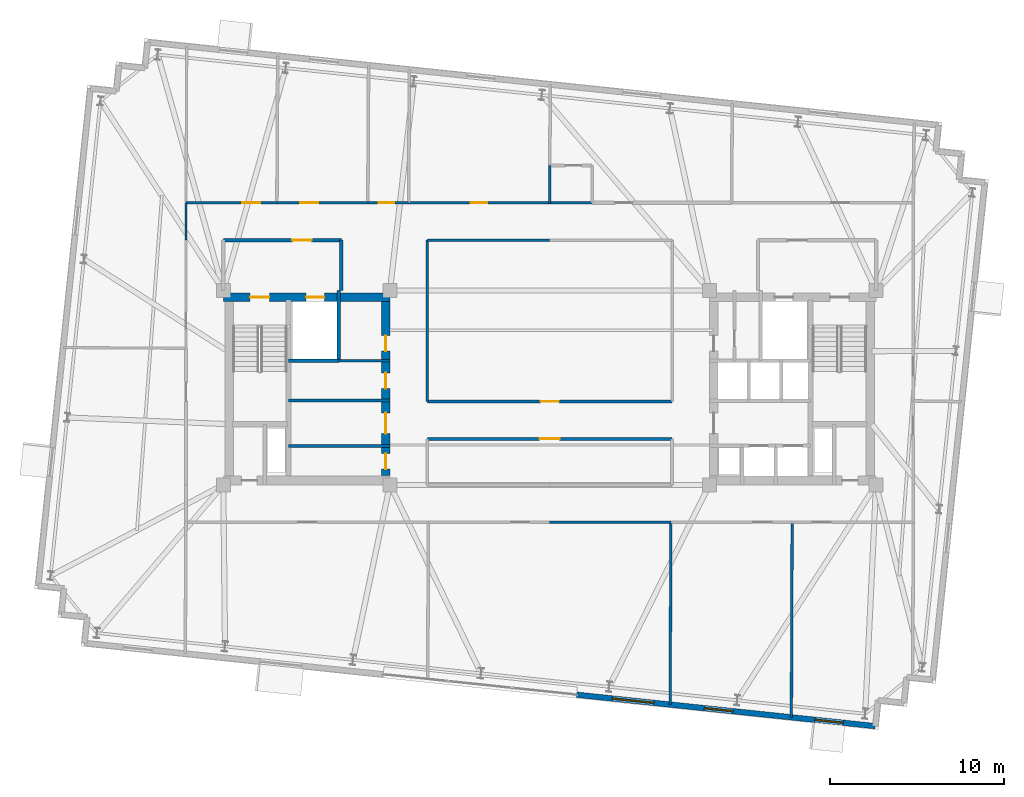
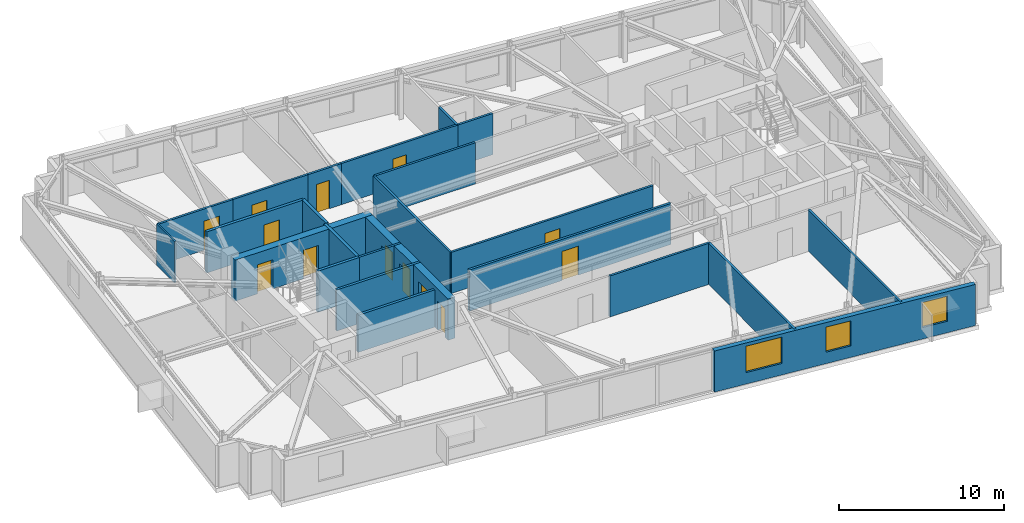
# One storey, part 8 of 12: 24 walls, 13 doors, 3 windows, 16 openings.
"""IFC4 building model written with IfcOpenShell, lengths in metres."""

from ifc_helpers import new_model, si_unit, direction, frame, frame_2d, origin, place, context, subcontext, project, spatial, rectangle, extrude, material, layer, layer_set, type_object, element, fill, save


model = new_model("IFC4")

# Units and contexts
model_context = context("Model", 3, precision=1e-05, world=origin(), true_north=direction((0.0, 1.0)))
body_context = subcontext(model_context, "Body", "Model", "MODEL_VIEW")
ifc_project = project(units=[si_unit("LENGTHUNIT", "METRE"), si_unit("AREAUNIT", "SQUARE_METRE"), si_unit("VOLUMEUNIT", "CUBIC_METRE"), si_unit("PLANEANGLEUNIT", "RADIAN"), si_unit("MASSUNIT", "GRAM", prefix="KILO")], contexts=[model_context])

# Site, building, storey
site_placement = place(None, origin())
site = spatial("IfcSite", under=ifc_project, at=site_placement, CompositionType="ELEMENT")
building_placement = place(site_placement, origin())
building = spatial("IfcBuilding", under=site, at=building_placement, Name="Qobustan Lattice House", CompositionType="ELEMENT")
storey_placement = place(building_placement, frame((0.0, 0.0, 203.10009765625)))
storey = spatial("IfcBuildingStorey", under=building, at=storey_placement, Name="L57", CompositionType="ELEMENT", Elevation=203.10009765625)

# Wall, openings, doors
ifc_material_1 = material(Name="Concrete C50/60", Category="concrete")
ifc_layer_1 = layer(ifc_material_1, 0.5)
ifc_layer_set_1 = layer_set([ifc_layer_1], Name="Concrete C50/60")
wall_type_1 = type_object("IfcWallType", Name="WAL-CORE-500", PredefinedType="SHEAR", material=ifc_layer_set_1)
wall_1_placement = place(storey_placement, frame((-18.800048828125, 5.2099609375, 0.0), z_axis=(0.0, 0.0, 1.0), x_axis=(1.0, 0.0, 0.0)))
wall_1 = element("IfcWall", 1, at=wall_1_placement, inside=storey, type_object=wall_type_1, Name="L57 split-core shear wall CW-N", PredefinedType="SHEAR", context=body_context, shape_type="SweptSolid", body=[
    extrude(rectangle(XDim=9.60009765625, YDim=0.5, at=frame_2d((4.800048828125, 0.0))), origin(), (0.0, 0.0, 1.0), 3.039794921875),
])
opening_1_placement = place(wall_1_placement, frame((1.550048828125, 0.0, 0.0)))
opening_1 = element("IfcOpeningElement", 2, at=opening_1_placement, cuts=wall_1, Name="Opening SD-01", PredefinedType="OPENING", context=body_context, shape_type="SweptSolid", body=[
    extrude(rectangle(XDim=1.10009765625, YDim=2.14990234375, at=frame_2d((0.550048828125, 1.074951171875))), frame((0.0, 0.260009765625, 0.0), z_axis=(0.0, -1.0, 0.0), x_axis=(1.0, 0.0, 0.0)), (0.0, 0.0, 1.0), 0.52001953125),
])
opening_2_placement = place(wall_1_placement, frame((4.77490234375, 0.0, 0.0)))
opening_2 = element("IfcOpeningElement", 3, at=opening_2_placement, cuts=wall_1, Name="Opening LD-01", PredefinedType="OPENING", context=body_context, shape_type="SweptSolid", body=[
    extrude(rectangle(XDim=1.050048828125, YDim=2.10009765625, at=frame_2d((0.52490234375, 1.050048828125))), frame((0.0, 0.260009765625, 0.0), z_axis=(0.0, -1.0, 0.0), x_axis=(1.0, 0.0, 0.0)), (0.0, 0.0, 1.0), 0.52001953125),
])
ifc_material_2 = material(Name="Persian walnut timber and steel frame door", Category="steel")
door_type_1 = type_object("IfcDoorType", Name="DOR-LIFT-LD-1050x2100", OperationType="NOTDEFINED", PredefinedType="DOOR", material=ifc_material_2)
door_1_placement = place(opening_2_placement, origin())
door_1 = element("IfcDoor", 4, at=door_1_placement, inside=storey, type_object=door_type_1, Name="L57 firefighting lift FF-W landing door", OperationType="DOUBLE_DOOR_SLIDING", OverallHeight=2.10009765625, OverallWidth=1.050048828125, PredefinedType="DOOR", context=body_context, shape_type="SweptSolid", body=[
    extrude(rectangle(XDim=1.050048828125, YDim=2.10009765625, at=frame_2d((0.52490234375, 1.050048828125))), frame((0.0, 0.02490234375, 0.0), z_axis=(0.0, -1.0, 0.0), x_axis=(1.0, 0.0, 0.0)), (0.0, 0.0, 1.0), 0.050048828125),
])
fill(opening_2, door_1)
ifc_material_3 = material(Name="Persian walnut timber and steel frame door", Category="steel")
door_type_2 = type_object("IfcDoorType", Name="DOR-STAIR-FD-1100x2150", OperationType="NOTDEFINED", PredefinedType="DOOR", material=ifc_material_3)
door_2_placement = place(opening_1_placement, origin())
door_2 = element("IfcDoor", 5, at=door_2_placement, inside=storey, type_object=door_type_2, Name="L57 exit stair ST-W1 fire door", OperationType="SINGLE_SWING_RIGHT", OverallHeight=2.14990234375, OverallWidth=1.10009765625, PredefinedType="DOOR", context=body_context, shape_type="SweptSolid", body=[
    extrude(rectangle(XDim=1.10009765625, YDim=2.14990234375, at=frame_2d((0.550048828125, 1.074951171875))), frame((0.0, 0.02490234375, 0.0), z_axis=(0.0, -1.0, 0.0), x_axis=(1.0, 0.0, 0.0)), (0.0, 0.0, 1.0), 0.050048828125),
])
fill(opening_1, door_2)

wall_2_placement = place(storey_placement, frame((-9.449951171875, -5.050048828125, 0.0), z_axis=(0.0, 0.0, 1.0), x_axis=(0.0, 1.0, 0.0)))
wall_2 = element("IfcWall", 6, at=wall_2_placement, inside=storey, type_object=wall_type_1, Name="L57 split-core shear wall CW-E", PredefinedType="SHEAR", context=body_context, shape_type="SweptSolid", body=[
    extrude(rectangle(XDim=10.10009765625, YDim=0.5, at=frame_2d((5.050048828125, 0.0))), origin(), (0.0, 0.0, 1.0), 3.039794921875),
])
opening_3_placement = place(wall_2_placement, frame((7.14990234375, 0.0, 0.0)))
opening_3 = element("IfcOpeningElement", 7, at=opening_3_placement, cuts=wall_2, Name="Opening RD-01", PredefinedType="OPENING", context=body_context, shape_type="SweptSolid", body=[
    extrude(rectangle(XDim=0.89990234375, YDim=2.10009765625, at=frame_2d((0.449951171875, 1.050048828125))), frame((0.0, 0.260009765625, 0.0), z_axis=(0.0, -1.0, 0.0), x_axis=(1.0, 0.0, 0.0)), (0.0, 0.0, 1.0), 0.52001953125),
])
opening_4_placement = place(wall_2_placement, frame((2.39990234375, 0.0, 0.0)))
opening_4 = element("IfcOpeningElement", 8, at=opening_4_placement, cuts=wall_2, Name="Opening FD-01", PredefinedType="OPENING", context=body_context, shape_type="SweptSolid", body=[
    extrude(rectangle(XDim=1.199951171875, YDim=2.14990234375, at=frame_2d((0.60009765625, 1.074951171875))), frame((0.0, 0.260009765625, 0.0), z_axis=(0.0, -1.0, 0.0), x_axis=(1.0, 0.0, 0.0)), (0.0, 0.0, 1.0), 0.52001953125),
])
opening_5_placement = place(wall_2_placement, frame((0.35009765625, 0.0, 0.0)))
opening_5 = element("IfcOpeningElement", 9, at=opening_5_placement, cuts=wall_2, Name="Opening RD-01", PredefinedType="OPENING", context=body_context, shape_type="SweptSolid", body=[
    extrude(rectangle(XDim=0.89990234375, YDim=2.10009765625, at=frame_2d((0.449951171875, 1.050048828125))), frame((0.0, 0.260009765625, 0.0), z_axis=(0.0, -1.0, 0.0), x_axis=(1.0, 0.0, 0.0)), (0.0, 0.0, 1.0), 0.52001953125),
])
opening_6_placement = place(wall_2_placement, frame((5.0, 0.0, 0.0)))
opening_6 = element("IfcOpeningElement", 10, at=opening_6_placement, cuts=wall_2, Name="Opening RD-01", PredefinedType="OPENING", context=body_context, shape_type="SweptSolid", body=[
    extrude(rectangle(XDim=0.89990234375, YDim=2.10009765625, at=frame_2d((0.449951171875, 1.050048828125))), frame((0.0, 0.260009765625, 0.0), z_axis=(0.0, -1.0, 0.0), x_axis=(1.0, 0.0, 0.0)), (0.0, 0.0, 1.0), 0.52001953125),
])
ifc_material_4 = material(Name="Persian walnut timber and steel frame door", Category="steel")
door_type_3 = type_object("IfcDoorType", Name="DOR-LOBBY-FD-1200x2150", OperationType="NOTDEFINED", PredefinedType="DOOR", material=ifc_material_4)
door_3_placement = place(opening_4_placement, origin())
door_3 = element("IfcDoor", 11, at=door_3_placement, inside=storey, type_object=door_type_3, Name="L57 West core foyer fire door", OperationType="SINGLE_SWING_RIGHT", OverallHeight=2.14990234375, OverallWidth=1.199951171875, PredefinedType="DOOR", context=body_context, shape_type="SweptSolid", body=[
    extrude(rectangle(XDim=1.199951171875, YDim=2.14990234375, at=frame_2d((0.60009765625, 1.074951171875))), frame((0.0, 0.02490234375, 0.0), z_axis=(0.0, -1.0, 0.0), x_axis=(1.0, 0.0, 0.0)), (0.0, 0.0, 1.0), 0.050048828125),
])
fill(opening_4, door_3)
ifc_material_5 = material(Name="Persian walnut timber and steel frame door", Category="steel")
door_type_4 = type_object("IfcDoorType", Name="DOR-RISER-FD-900x2100", OperationType="NOTDEFINED", PredefinedType="DOOR", material=ifc_material_5)
door_4_placement = place(opening_3_placement, origin())
door_4 = element("IfcDoor", 12, at=door_4_placement, inside=storey, type_object=door_type_4, Name="L57 Floor tea pantry fire door", OperationType="SINGLE_SWING_LEFT", OverallHeight=2.10009765625, OverallWidth=0.89990234375, PredefinedType="DOOR", context=body_context, shape_type="SweptSolid", body=[
    extrude(rectangle(XDim=0.89990234375, YDim=2.10009765625, at=frame_2d((0.449951171875, 1.050048828125))), frame((0.0, 0.02490234375, 0.0), z_axis=(0.0, -1.0, 0.0), x_axis=(1.0, 0.0, 0.0)), (0.0, 0.0, 1.0), 0.050048828125),
])
fill(opening_3, door_4)
door_5_placement = place(opening_5_placement, origin())
door_5 = element("IfcDoor", 13, at=door_5_placement, inside=storey, type_object=door_type_4, Name="L57 Tutorial seminar salon fire door", OperationType="SINGLE_SWING_LEFT", OverallHeight=2.10009765625, OverallWidth=0.89990234375, PredefinedType="DOOR", context=body_context, shape_type="SweptSolid", body=[
    extrude(rectangle(XDim=0.89990234375, YDim=2.10009765625, at=frame_2d((0.449951171875, 1.050048828125))), frame((0.0, 0.02490234375, 0.0), z_axis=(0.0, -1.0, 0.0), x_axis=(1.0, 0.0, 0.0)), (0.0, 0.0, 1.0), 0.050048828125),
])
fill(opening_5, door_5)
door_6_placement = place(opening_6_placement, origin())
door_6 = element("IfcDoor", 14, at=door_6_placement, inside=storey, type_object=door_type_4, Name="L57 Copy and tea hub fire door", OperationType="SINGLE_SWING_RIGHT", OverallHeight=2.10009765625, OverallWidth=0.89990234375, PredefinedType="DOOR", context=body_context, shape_type="SweptSolid", body=[
    extrude(rectangle(XDim=0.89990234375, YDim=2.10009765625, at=frame_2d((0.449951171875, 1.050048828125))), frame((0.0, 0.02490234375, 0.0), z_axis=(0.0, -1.0, 0.0), x_axis=(1.0, 0.0, 0.0)), (0.0, 0.0, 1.0), 0.050048828125),
])
fill(opening_6, door_6)

# Wall, openings, windows
ifc_material_6 = material(Name="Precast concrete C40/50", Category="concrete")
ifc_layer_2 = layer(ifc_material_6, 0.320068359375)
ifc_layer_set_2 = layer_set([ifc_layer_2], Name="Precast concrete C40/50")
wall_type_2 = type_object("IfcWallType", Name="WAL-EXT-STONE-320", PredefinedType="SOLIDWALL", material=ifc_layer_set_2)
wall_3_placement = place(storey_placement, frame((18.755859375, -19.498291015625, 0.0), z_axis=(0.0, 0.0, 1.0), x_axis=(-0.994523378108, 0.104514354977, 0.0)))
wall_3 = element("IfcWall", 15, at=wall_3_placement, inside=storey, type_object=wall_type_2, Name="L57 iwan flank stone wall A", PredefinedType="SOLIDWALL", context=body_context, shape_type="SweptSolid", body=[
    extrude(rectangle(XDim=17.300048828125, YDim=0.320068359375, at=frame_2d((8.64990234375, 0.0))), origin(), (0.0, 0.0, 1.0), 3.039794921875),
])
opening_7_placement = place(wall_3_placement, frame((1.858154296875, 0.0, 0.85009765625)))
opening_7 = element("IfcOpeningElement", 16, at=opening_7_placement, cuts=wall_3, Name="Opening WN-09", PredefinedType="OPENING", context=body_context, shape_type="SweptSolid", body=[
    extrude(rectangle(XDim=1.64990234375, YDim=1.85009765625, at=frame_2d((0.824951171875, 0.925048828125))), frame((0.0, 0.169921875, 0.0), z_axis=(0.0, -1.0, 0.0), x_axis=(1.0, 0.0, 0.0)), (0.0, 0.0, 1.0), 0.340087890625),
])
opening_8_placement = place(wall_3_placement, frame((8.259521484375, 0.0, 0.85009765625)))
opening_8 = element("IfcOpeningElement", 17, at=opening_8_placement, cuts=wall_3, Name="Opening WN-09", PredefinedType="OPENING", context=body_context, shape_type="SweptSolid", body=[
    extrude(rectangle(XDim=1.64990234375, YDim=1.85009765625, at=frame_2d((0.824951171875, 0.925048828125))), frame((0.0, 0.169921875, 0.0), z_axis=(0.0, -1.0, 0.0), x_axis=(1.0, 0.0, 0.0)), (0.0, 0.0, 1.0), 0.340087890625),
])
opening_9_placement = place(wall_3_placement, frame((12.825439453125, 0.0, 0.85009765625)))
opening_9 = element("IfcOpeningElement", 18, at=opening_9_placement, cuts=wall_3, Name="Opening WN-10", PredefinedType="OPENING", context=body_context, shape_type="SweptSolid", body=[
    extrude(rectangle(XDim=2.39990234375, YDim=1.949951171875, at=frame_2d((1.199951171875, 0.97509765625))), frame((0.0, 0.169921875, 0.0), z_axis=(0.0, -1.0, 0.0), x_axis=(1.0, 0.0, 0.0)), (0.0, 0.0, 1.0), 0.340087890625),
])
ifc_material_7 = material(Name="Double-glazed low-E aluminium window", Category="aluminium")
window_type_1 = type_object("IfcWindowType", Name="WIN-LNG-2400x1950", PartitioningType="SINGLE_PANEL", PredefinedType="WINDOW", material=ifc_material_7)
window_1_placement = place(opening_9_placement, origin())
window_1 = element("IfcWindow", 19, at=window_1_placement, inside=storey, type_object=window_type_1, Name="L57 Walnut iwan sky lounge S2 window", OverallHeight=1.949951171875, OverallWidth=2.39990234375, PartitioningType="SINGLE_PANEL", PredefinedType="WINDOW", context=body_context, shape_type="SweptSolid", body=[
    extrude(rectangle(XDim=2.39990234375, YDim=1.949951171875, at=frame_2d((1.199951171875, 0.97509765625))), frame((0.0, 0.030029296875, 0.0), z_axis=(0.0, -1.0, 0.0), x_axis=(1.0, 0.0, 0.0)), (0.0, 0.0, 1.0), 0.06005859375),
])
fill(opening_9, window_1)
ifc_material_8 = material(Name="Double-glazed low-E aluminium window", Category="aluminium")
window_type_2 = type_object("IfcWindowType", Name="WIN-STU-1650x1850", PartitioningType="SINGLE_PANEL", PredefinedType="WINDOW", material=ifc_material_8)
window_2_placement = place(opening_7_placement, origin())
window_2 = element("IfcWindow", 20, at=window_2_placement, inside=storey, type_object=window_type_2, Name="L57 Academic seminar room window", OverallHeight=1.85009765625, OverallWidth=1.64990234375, PartitioningType="SINGLE_PANEL", PredefinedType="WINDOW", context=body_context, shape_type="SweptSolid", body=[
    extrude(rectangle(XDim=1.64990234375, YDim=1.85009765625, at=frame_2d((0.824951171875, 0.925048828125))), frame((0.0, 0.030029296875, 0.0), z_axis=(0.0, -1.0, 0.0), x_axis=(1.0, 0.0, 0.0)), (0.0, 0.0, 1.0), 0.06005859375),
])
fill(opening_7, window_2)
window_3_placement = place(opening_8_placement, origin())
window_3 = element("IfcWindow", 21, at=window_3_placement, inside=storey, type_object=window_type_2, Name="L57 Group study room window", OverallHeight=1.85009765625, OverallWidth=1.64990234375, PartitioningType="SINGLE_PANEL", PredefinedType="WINDOW", context=body_context, shape_type="SweptSolid", body=[
    extrude(rectangle(XDim=1.64990234375, YDim=1.85009765625, at=frame_2d((0.824951171875, 0.925048828125))), frame((0.0, 0.030029296875, 0.0), z_axis=(0.0, -1.0, 0.0), x_axis=(1.0, 0.0, 0.0)), (0.0, 0.0, 1.0), 0.06005859375),
])
fill(opening_8, window_3)

# Walls
ifc_material_9 = material(Name="Gypsum fireboard acoustic partition", Category="gypsum")
ifc_layer_3 = layer(ifc_material_9, 0.179931640625)
ifc_layer_set_3 = layer_set([ifc_layer_3], Name="Gypsum fireboard acoustic partition")
wall_type_3 = type_object("IfcWallType", Name="WAL-FIRE-180", PredefinedType="PARTITIONING", material=ifc_layer_set_3)
wall_4_placement = place(storey_placement, frame((-15.050048828125, -3.35009765625, 0.0), z_axis=(0.0, 0.0, 1.0), x_axis=(1.0, 0.0, 0.0)))
element("IfcWall", 22, at=wall_4_placement, inside=storey, type_object=wall_type_3, Name="L57 interior partition 8", PredefinedType="PARTITIONING", context=body_context, shape_type="SweptSolid", body=[
    extrude(rectangle(XDim=5.85009765625, YDim=0.179931640625, at=frame_2d((2.925048828125, 0.0))), origin(), (0.0, 0.0, 1.0), 2.7548828125),
])
wall_5_placement = place(storey_placement, frame((-9.199951171875, -0.75, 0.0), z_axis=(0.0, 0.0, 1.0), x_axis=(-1.0, 0.0, 0.0)))
element("IfcWall", 23, at=wall_5_placement, inside=storey, type_object=wall_type_3, Name="L57 interior partition 9", PredefinedType="PARTITIONING", context=body_context, shape_type="SweptSolid", body=[
    extrude(rectangle(XDim=5.85009765625, YDim=0.179931640625, at=frame_2d((2.925048828125, 0.0))), origin(), (0.0, 0.0, 1.0), 3.039794921875),
])
ifc_material_10 = material(Name="Lightweight acoustic stud partition", Category="gypsum")
ifc_layer_4 = layer(ifc_material_10, 0.125)
ifc_layer_set_4 = layer_set([ifc_layer_4], Name="Lightweight acoustic stud partition")
wall_type_4 = type_object("IfcWallType", Name="WAL-PART-125", PredefinedType="PARTITIONING", material=ifc_layer_set_4)
wall_6_placement = place(storey_placement, frame((-20.949951171875, 8.5, 0.0), z_axis=(0.0, 0.0, 1.0), x_axis=(0.0, 1.0, 0.0)))
element("IfcWall", 24, at=wall_6_placement, inside=storey, type_object=wall_type_4, Name="L57 interior partition 31", PredefinedType="PARTITIONING", context=body_context, shape_type="SweptSolid", body=[
    extrude(rectangle(XDim=2.14990234375, YDim=0.125, at=frame_2d((1.074951171875, 0.0))), origin(), (0.0, 0.0, 1.0), 3.039794921875),
])
ifc_material_11 = material(Name="Acoustic twin-stud gypsum partition", Category="gypsum")
ifc_layer_5 = layer(ifc_material_11, 0.14990234375)
ifc_layer_set_5 = layer_set([ifc_layer_5], Name="Acoustic twin-stud gypsum partition")
wall_type_5 = type_object("IfcWallType", Name="WAL-PART-150", PredefinedType="PARTITIONING", material=ifc_layer_set_5)
wall_7_placement = place(storey_placement, frame((-12.14990234375, 1.550048828125, 0.0), z_axis=(0.0, 0.0, 1.0), x_axis=(1.0, 0.0, 0.0)))
element("IfcWall", 25, at=wall_7_placement, inside=storey, type_object=wall_type_5, Name="L57 interior partition 6", PredefinedType="PARTITIONING", context=body_context, shape_type="SweptSolid", body=[
    extrude(rectangle(XDim=2.949951171875, YDim=0.14990234375, at=frame_2d((1.47509765625, 0.0))), origin(), (0.0, 0.0, 1.0), 3.039794921875),
])

# Wall, opening, door
wall_8_placement = place(storey_placement, frame((-20.949951171875, 10.64990234375, 0.0), z_axis=(0.0, 0.0, 1.0), x_axis=(1.0, 0.0, 0.0)))
wall_8 = element("IfcWall", 26, at=wall_8_placement, inside=storey, type_object=wall_type_5, Name="L57 interior partition 32", PredefinedType="PARTITIONING", context=body_context, shape_type="SweptSolid", body=[
    extrude(rectangle(XDim=5.237548828125, YDim=0.14990234375, at=frame_2d((2.61865234375, 0.0))), origin(), (0.0, 0.0, 1.0), 3.039794921875),
])
opening_10_placement = place(wall_8_placement, frame((3.22900390625, 0.0, 0.0)))
opening_10 = element("IfcOpeningElement", 27, at=opening_10_placement, cuts=wall_8, Name="Opening ID-02", PredefinedType="OPENING", context=body_context, shape_type="SweptSolid", body=[
    extrude(rectangle(XDim=1.050048828125, YDim=2.14990234375, at=frame_2d((0.52490234375, 1.074951171875))), frame((0.0, 0.0849609375, 0.0), z_axis=(0.0, -1.0, 0.0), x_axis=(1.0, 0.0, 0.0)), (0.0, 0.0, 1.0), 0.169921875),
])
ifc_material_12 = material(Name="Persian walnut timber and steel frame door", Category="steel")
door_type_5 = type_object("IfcDoorType", Name="DOR-STUDY-1050x2150", OperationType="NOTDEFINED", PredefinedType="DOOR", material=ifc_material_12)
door_7_placement = place(opening_10_placement, origin())
door_7 = element("IfcDoor", 28, at=door_7_placement, inside=storey, type_object=door_type_5, Name="L57 North-west floor corridor to Focus study room N1A door", OperationType="SINGLE_SWING_LEFT", OverallHeight=2.14990234375, OverallWidth=1.050048828125, PredefinedType="DOOR", context=body_context, shape_type="SweptSolid", body=[
    extrude(rectangle(XDim=1.050048828125, YDim=2.14990234375, at=frame_2d((0.52490234375, 1.074951171875))), frame((0.0, 0.02490234375, 0.0), z_axis=(0.0, -1.0, 0.0), x_axis=(1.0, 0.0, 0.0)), (0.0, 0.0, 1.0), 0.050048828125),
])
fill(opening_10, door_7)

wall_9_placement = place(storey_placement, frame((-15.71240234375, 10.64990234375, 0.0), z_axis=(0.0, 0.0, 1.0), x_axis=(1.0, 0.0, 0.0)))
wall_9 = element("IfcWall", 29, at=wall_9_placement, inside=storey, type_object=wall_type_5, Name="L57 interior partition 33", PredefinedType="PARTITIONING", context=body_context, shape_type="SweptSolid", body=[
    extrude(rectangle(XDim=5.2373046875, YDim=0.14990234375, at=frame_2d((2.61865234375, 0.0))), origin(), (0.0, 0.0, 1.0), 3.039794921875),
])
opening_11_placement = place(wall_9_placement, frame((1.3369140625, 0.0, 0.0)))
opening_11 = element("IfcOpeningElement", 30, at=opening_11_placement, cuts=wall_9, Name="Opening ID-02", PredefinedType="OPENING", context=body_context, shape_type="SweptSolid", body=[
    extrude(rectangle(XDim=1.050048828125, YDim=2.14990234375, at=frame_2d((0.52490234375, 1.074951171875))), frame((0.0, 0.0849609375, 0.0), z_axis=(0.0, -1.0, 0.0), x_axis=(1.0, 0.0, 0.0)), (0.0, 0.0, 1.0), 0.169921875),
])
door_8_placement = place(opening_11_placement, origin())
door_8 = element("IfcDoor", 31, at=door_8_placement, inside=storey, type_object=door_type_5, Name="L57 North-west floor corridor to Focus study room N1B door", OperationType="SINGLE_SWING_RIGHT", OverallHeight=2.14990234375, OverallWidth=1.050048828125, PredefinedType="DOOR", context=body_context, shape_type="SweptSolid", body=[
    extrude(rectangle(XDim=1.050048828125, YDim=2.14990234375, at=frame_2d((0.52490234375, 1.074951171875))), frame((0.0, 0.02490234375, 0.0), z_axis=(0.0, -1.0, 0.0), x_axis=(1.0, 0.0, 0.0)), (0.0, 0.0, 1.0), 0.050048828125),
])
fill(opening_11, door_8)

wall_10_placement = place(storey_placement, frame((-8.125, 10.64990234375, 0.0), z_axis=(0.0, 0.0, 1.0), x_axis=(1.0, 0.0, 0.0)))
wall_10 = element("IfcWall", 32, at=wall_10_placement, inside=storey, type_object=wall_type_5, Name="L57 interior partition 35", PredefinedType="PARTITIONING", context=body_context, shape_type="SweptSolid", body=[
    extrude(rectangle(XDim=8.125, YDim=0.14990234375, at=frame_2d((4.0625, 0.0))), origin(), (0.0, 0.0, 1.0), 3.039794921875),
])
opening_12_placement = place(wall_10_placement, frame((3.58740234375, 0.0, 0.0)))
opening_12 = element("IfcOpeningElement", 33, at=opening_12_placement, cuts=wall_10, Name="Opening ID-01", PredefinedType="OPENING", context=body_context, shape_type="SweptSolid", body=[
    extrude(rectangle(XDim=0.949951171875, YDim=2.10009765625, at=frame_2d((0.47509765625, 1.050048828125))), frame((0.0, 0.0849609375, 0.0), z_axis=(0.0, -1.0, 0.0), x_axis=(1.0, 0.0, 0.0)), (0.0, 0.0, 1.0), 0.169921875),
])
ifc_material_13 = material(Name="Persian walnut timber and steel frame door", Category="steel")
door_type_6 = type_object("IfcDoorType", Name="DOR-ROOM-950x2100", OperationType="NOTDEFINED", PredefinedType="DOOR", material=ifc_material_13)
door_9_placement = place(opening_12_placement, origin())
door_9 = element("IfcDoor", 34, at=door_9_placement, inside=storey, type_object=door_type_6, Name="L57 North-west floor corridor to Laundry utility room door", OperationType="SINGLE_SWING_RIGHT", OverallHeight=2.10009765625, OverallWidth=0.949951171875, PredefinedType="DOOR", context=body_context, shape_type="SweptSolid", body=[
    extrude(rectangle(XDim=0.949951171875, YDim=2.10009765625, at=frame_2d((0.47509765625, 1.050048828125))), frame((0.0, 0.02490234375, 0.0), z_axis=(0.0, -1.0, 0.0), x_axis=(1.0, 0.0, 0.0)), (0.0, 0.0, 1.0), 0.050048828125),
])
fill(opening_12, door_9)

# Walls
wall_11_placement = place(storey_placement, frame((0.0, 8.5, 0.0), z_axis=(0.0, 0.0, 1.0), x_axis=(-1.0, 0.0, 0.0)))
element("IfcWall", 35, at=wall_11_placement, inside=storey, type_object=wall_type_5, Name="L57 interior partition 36", PredefinedType="PARTITIONING", context=body_context, shape_type="SweptSolid", body=[
    extrude(rectangle(XDim=7.050048828125, YDim=0.14990234375, at=frame_2d((3.52490234375, 0.0))), origin(), (0.0, 0.0, 1.0), 3.039794921875),
])
wall_12_placement = place(storey_placement, frame((6.98291015625, -7.75, 0.0), z_axis=(0.0, 0.0, 1.0), x_axis=(-1.0, 0.0, 0.0)))
element("IfcWall", 36, at=wall_12_placement, inside=storey, type_object=wall_type_5, Name="L57 interior partition 47", PredefinedType="PARTITIONING", context=body_context, shape_type="SweptSolid", body=[
    extrude(rectangle(XDim=6.98291015625, YDim=0.14990234375, at=frame_2d((3.491455078125, 0.0))), origin(), (0.0, 0.0, 1.0), 3.039794921875),
])

# Wall, opening, door
wall_13_placement = place(storey_placement, frame((-7.050048828125, -0.800048828125, 0.0), z_axis=(0.0, 0.0, 1.0), x_axis=(1.0, 0.0, 0.0)))
wall_13 = element("IfcWall", 37, at=wall_13_placement, inside=storey, type_object=wall_type_5, Name="L57 interior partition 55", PredefinedType="PARTITIONING", context=body_context, shape_type="SweptSolid", body=[
    extrude(rectangle(XDim=14.10009765625, YDim=0.14990234375, at=frame_2d((7.050048828125, 0.0))), origin(), (0.0, 0.0, 1.0), 3.039794921875),
])
opening_13_placement = place(wall_13_placement, frame((6.52490234375, 0.0, 0.0)))
opening_13 = element("IfcOpeningElement", 38, at=opening_13_placement, cuts=wall_13, Name="Opening ID-02", PredefinedType="OPENING", context=body_context, shape_type="SweptSolid", body=[
    extrude(rectangle(XDim=1.050048828125, YDim=2.14990234375, at=frame_2d((0.52490234375, 1.074951171875))), frame((0.0, 0.0849609375, 0.0), z_axis=(0.0, -1.0, 0.0), x_axis=(1.0, 0.0, 0.0)), (0.0, 0.0, 1.0), 0.169921875),
])
door_10_placement = place(opening_13_placement, origin())
door_10 = element("IfcDoor", 39, at=door_10_placement, inside=storey, type_object=door_type_5, Name="L57 Central spine corridor to Central study commons door", OperationType="SINGLE_SWING_LEFT", OverallHeight=2.14990234375, OverallWidth=1.050048828125, PredefinedType="DOOR", context=body_context, shape_type="SweptSolid", body=[
    extrude(rectangle(XDim=1.050048828125, YDim=2.14990234375, at=frame_2d((0.52490234375, 1.074951171875))), frame((0.0, 0.02490234375, 0.0), z_axis=(0.0, -1.0, 0.0), x_axis=(1.0, 0.0, 0.0)), (0.0, 0.0, 1.0), 0.050048828125),
])
fill(opening_13, door_10)

# Walls
wall_14_placement = place(storey_placement, frame((-7.050048828125, 8.5, 0.0), z_axis=(0.0, 0.0, 1.0), x_axis=(0.0, -1.0, 0.0)))
element("IfcWall", 40, at=wall_14_placement, inside=storey, type_object=wall_type_5, Name="L57 interior partition 57", PredefinedType="PARTITIONING", context=body_context, shape_type="SweptSolid", body=[
    extrude(rectangle(XDim=9.300048828125, YDim=0.14990234375, at=frame_2d((4.64990234375, 0.0))), origin(), (0.0, 0.0, 1.0), 3.039794921875),
])
wall_15_placement = place(storey_placement, frame((6.98291015625, -7.75, 0.0), z_axis=(0.0, 0.0, 1.0), x_axis=(-0.004159465807, -0.999991349385, 0.0)))
element("IfcWall", 41, at=wall_15_placement, inside=storey, type_object=wall_type_5, Name="L57 interior partition 76", PredefinedType="PARTITIONING", context=body_context, shape_type="SweptSolid", body=[
    extrude(rectangle(XDim=10.50634765625, YDim=0.14990234375, at=frame_2d((5.253173828125, 0.0))), origin(), (0.0, 0.0, 1.0), 3.039794921875),
])
wall_16_placement = place(storey_placement, frame((13.966552734375, -7.75, 0.0), z_axis=(0.0, 0.0, 1.0), x_axis=(-0.003909528994, -0.999992357762, 0.0)))
element("IfcWall", 42, at=wall_16_placement, inside=storey, type_object=wall_type_5, Name="L57 interior partition 77", PredefinedType="PARTITIONING", context=body_context, shape_type="SweptSolid", body=[
    extrude(rectangle(XDim=11.240478515625, YDim=0.14990234375, at=frame_2d((5.6201171875, 0.0))), origin(), (0.0, 0.0, 1.0), 3.039794921875),
])

# Wall, opening, door
ifc_material_14 = material(Name="High-mass acoustic twin-stud partition", Category="gypsum")
ifc_layer_6 = layer(ifc_material_14, 0.1650390625)
ifc_layer_set_6 = layer_set([ifc_layer_6], Name="High-mass acoustic twin-stud partition")
wall_type_6 = type_object("IfcWallType", Name="WAL-PART-165", PredefinedType="PARTITIONING", material=ifc_layer_set_6)
wall_17_placement = place(storey_placement, frame((7.050048828125, -2.949951171875, 0.0), z_axis=(0.0, 0.0, 1.0), x_axis=(-1.0, 0.0, 0.0)))
wall_17 = element("IfcWall", 43, at=wall_17_placement, inside=storey, type_object=wall_type_6, Name="L57 interior partition 56", PredefinedType="PARTITIONING", context=body_context, shape_type="SweptSolid", body=[
    extrude(rectangle(XDim=14.10009765625, YDim=0.1650390625, at=frame_2d((7.050048828125, 0.0))), origin(), (0.0, 0.0, 1.0), 3.039794921875),
])
opening_14_placement = place(wall_17_placement, frame((6.47509765625, 0.0, 0.0)))
opening_14 = element("IfcOpeningElement", 44, at=opening_14_placement, cuts=wall_17, Name="Opening ID-03", PredefinedType="OPENING", context=body_context, shape_type="SweptSolid", body=[
    extrude(rectangle(XDim=1.14990234375, YDim=2.14990234375, at=frame_2d((0.574951171875, 1.074951171875))), frame((0.0, 0.092529296875, 0.0), z_axis=(0.0, -1.0, 0.0), x_axis=(1.0, 0.0, 0.0)), (0.0, 0.0, 1.0), 0.18505859375),
])
ifc_material_15 = material(Name="Persian walnut timber and steel frame door", Category="steel")
door_type_7 = type_object("IfcDoorType", Name="DOR-KITCH-1150x2150", OperationType="NOTDEFINED", PredefinedType="DOOR", material=ifc_material_15)
door_11_placement = place(opening_14_placement, origin())
door_11 = element("IfcDoor", 45, at=door_11_placement, inside=storey, type_object=door_type_7, Name="L57 Central spine corridor to Shared kitchen and tea room door", OperationType="SINGLE_SWING_RIGHT", OverallHeight=2.14990234375, OverallWidth=1.14990234375, PredefinedType="DOOR", context=body_context, shape_type="SweptSolid", body=[
    extrude(rectangle(XDim=1.14990234375, YDim=2.14990234375, at=frame_2d((0.574951171875, 1.074951171875))), frame((0.0, 0.02490234375, 0.0), z_axis=(0.0, -1.0, 0.0), x_axis=(1.0, 0.0, 0.0)), (0.0, 0.0, 1.0), 0.050048828125),
])
fill(opening_14, door_11)

ifc_material_16 = material(Name="Two-hour gypsum fireboard acoustic partition", Category="gypsum")
ifc_layer_7 = layer(ifc_material_16, 0.199951171875)
ifc_layer_set_7 = layer_set([ifc_layer_7], Name="Two-hour gypsum fireboard acoustic partition")
wall_type_7 = type_object("IfcWallType", Name="WAL-PROT-200", PredefinedType="PARTITIONING", material=ifc_layer_set_7)
wall_18_placement = place(storey_placement, frame((-12.0, 8.5, 0.0), z_axis=(0.0, 0.0, 1.0), x_axis=(-1.0, 0.0, 0.0)))
wall_18 = element("IfcWall", 46, at=wall_18_placement, inside=storey, type_object=wall_type_7, Name="L57 interior partition 3", PredefinedType="PARTITIONING", context=body_context, shape_type="SweptSolid", body=[
    extrude(rectangle(XDim=6.800048828125, YDim=0.199951171875, at=frame_2d((3.39990234375, 0.0))), origin(), (0.0, 0.0, 1.0), 3.039794921875),
])
opening_15_placement = place(wall_18_placement, frame((1.715087890625, 0.0, 0.0)))
opening_15 = element("IfcOpeningElement", 47, at=opening_15_placement, cuts=wall_18, Name="Opening SD-01", PredefinedType="OPENING", context=body_context, shape_type="SweptSolid", body=[
    extrude(rectangle(XDim=1.10009765625, YDim=2.14990234375, at=frame_2d((0.550048828125, 1.074951171875))), frame((0.0, 0.10986328125, 0.0), z_axis=(0.0, -1.0, 0.0), x_axis=(1.0, 0.0, 0.0)), (0.0, 0.0, 1.0), 0.219970703125),
])
door_12_placement = place(opening_15_placement, origin())
door_12 = element("IfcDoor", 48, at=door_12_placement, inside=storey, type_object=door_type_2, Name="L57 West firefighting lift lobby to North-west floor corridor door", OperationType="SINGLE_SWING_RIGHT", OverallHeight=2.14990234375, OverallWidth=1.10009765625, PredefinedType="DOOR", context=body_context, shape_type="SweptSolid", body=[
    extrude(rectangle(XDim=1.10009765625, YDim=2.14990234375, at=frame_2d((0.550048828125, 1.074951171875))), frame((0.0, 0.02490234375, 0.0), z_axis=(0.0, -1.0, 0.0), x_axis=(1.0, 0.0, 0.0)), (0.0, 0.0, 1.0), 0.050048828125),
])
fill(opening_15, door_12)

# Walls
wall_19_placement = place(storey_placement, frame((-12.0, 5.60009765625, 0.0), z_axis=(0.0, 0.0, 1.0), x_axis=(0.0, 1.0, 0.0)))
element("IfcWall", 49, at=wall_19_placement, inside=storey, type_object=wall_type_7, Name="L57 interior partition 5", PredefinedType="PARTITIONING", context=body_context, shape_type="SweptSolid", body=[
    extrude(rectangle(XDim=2.89990234375, YDim=0.199951171875, at=frame_2d((1.449951171875, 0.0))), origin(), (0.0, 0.0, 1.0), 3.039794921875),
])
ifc_material_17 = material(Name="Concrete C40/50", Category="concrete")
ifc_layer_8 = layer(ifc_material_17, 0.199951171875)
ifc_layer_set_8 = layer_set([ifc_layer_8], Name="Concrete C40/50")
wall_type_8 = type_object("IfcWallType", Name="WAL-SHAFT-200", PredefinedType="PARTITIONING", material=ifc_layer_set_8)
wall_20_placement = place(storey_placement, frame((-12.14990234375, 1.550048828125, 0.0), z_axis=(0.0, 0.0, 1.0), x_axis=(0.0, 1.0, 0.0)))
element("IfcWall", 50, at=wall_20_placement, inside=storey, type_object=wall_type_8, Name="L57 interior partition 2", PredefinedType="PARTITIONING", context=body_context, shape_type="SweptSolid", body=[
    extrude(rectangle(XDim=4.050048828125, YDim=0.199951171875, at=frame_2d((2.02490234375, 0.0))), origin(), (0.0, 0.0, 1.0), 3.039794921875),
])
wall_21_placement = place(storey_placement, frame((-15.050048828125, 1.550048828125, 0.0), z_axis=(0.0, 0.0, 1.0), x_axis=(1.0, 0.0, 0.0)))
element("IfcWall", 51, at=wall_21_placement, inside=storey, type_object=wall_type_8, Name="L57 interior partition 78", PredefinedType="PARTITIONING", context=body_context, shape_type="SweptSolid", body=[
    extrude(rectangle(XDim=2.900146484375, YDim=0.199951171875, at=frame_2d((1.4501953125, 0.0))), origin(), (0.0, 0.0, 1.0), 3.039794921875),
])

# Wall, opening, door
ifc_material_18 = material(Name="Moisture-resistant acoustic plumbing wall", Category="gypsum")
ifc_layer_9 = layer(ifc_material_18, 0.14990234375)
ifc_layer_set_9 = layer_set([ifc_layer_9], Name="Moisture-resistant acoustic plumbing wall")
wall_type_9 = type_object("IfcWallType", Name="WAL-WET-150", PredefinedType="PLUMBINGWALL", material=ifc_layer_set_9)
wall_22_placement = place(storey_placement, frame((-10.47509765625, 10.64990234375, 0.0), z_axis=(0.0, 0.0, 1.0), x_axis=(1.0, 0.0, 0.0)))
wall_22 = element("IfcWall", 52, at=wall_22_placement, inside=storey, type_object=wall_type_9, Name="L57 interior partition 34", PredefinedType="PLUMBINGWALL", context=body_context, shape_type="SweptSolid", body=[
    extrude(rectangle(XDim=2.35009765625, YDim=0.14990234375, at=frame_2d((1.175048828125, 0.0))), origin(), (0.0, 0.0, 1.0), 3.039794921875),
])
opening_16_placement = place(wall_22_placement, frame((0.6162109375, 0.0, 0.0)))
opening_16 = element("IfcOpeningElement", 53, at=opening_16_placement, cuts=wall_22, Name="Opening WD-01", PredefinedType="OPENING", context=body_context, shape_type="SweptSolid", body=[
    extrude(rectangle(XDim=0.89990234375, YDim=2.10009765625, at=frame_2d((0.449951171875, 1.050048828125))), frame((0.0, 0.0849609375, 0.0), z_axis=(0.0, -1.0, 0.0), x_axis=(1.0, 0.0, 0.0)), (0.0, 0.0, 1.0), 0.169921875),
])
ifc_material_19 = material(Name="Persian walnut timber and steel frame door", Category="steel")
door_type_8 = type_object("IfcDoorType", Name="DOR-WET-900x2100", OperationType="NOTDEFINED", PredefinedType="DOOR", material=ifc_material_19)
door_13_placement = place(opening_16_placement, origin())
door_13 = element("IfcDoor", 54, at=door_13_placement, inside=storey, type_object=door_type_8, Name="L57 North-west floor corridor to Accessible WC door", OperationType="SINGLE_SWING_LEFT", OverallHeight=2.10009765625, OverallWidth=0.89990234375, PredefinedType="DOOR", context=body_context, shape_type="SweptSolid", body=[
    extrude(rectangle(XDim=0.89990234375, YDim=2.10009765625, at=frame_2d((0.449951171875, 1.050048828125))), frame((0.0, 0.02490234375, 0.0), z_axis=(0.0, -1.0, 0.0), x_axis=(1.0, 0.0, 0.0)), (0.0, 0.0, 1.0), 0.050048828125),
])
fill(opening_16, door_13)

# Walls
wall_23_placement = place(storey_placement, frame((0.0, 10.64990234375, 0.0), z_axis=(0.0, 0.0, 1.0), x_axis=(1.0, 0.0, 0.0)))
element("IfcWall", 55, at=wall_23_placement, inside=storey, type_object=wall_type_9, Name="L57 interior partition 39", PredefinedType="PLUMBINGWALL", context=body_context, shape_type="SweptSolid", body=[
    extrude(rectangle(XDim=2.449951171875, YDim=0.14990234375, at=frame_2d((1.22509765625, 0.0))), origin(), (0.0, 0.0, 1.0), 3.039794921875),
])
wall_24_placement = place(storey_placement, frame((0.0, 12.800048828125, 0.0), z_axis=(0.0, 0.0, 1.0), x_axis=(0.0, -1.0, 0.0)))
element("IfcWall", 56, at=wall_24_placement, inside=storey, type_object=wall_type_9, Name="L57 interior partition 71", PredefinedType="PLUMBINGWALL", context=body_context, shape_type="SweptSolid", body=[
    extrude(rectangle(XDim=2.150146484375, YDim=0.14990234375, at=frame_2d((1.0751953125, 0.0))), origin(), (0.0, 0.0, 1.0), 3.039794921875),
])

save(model, "model.ifc")
